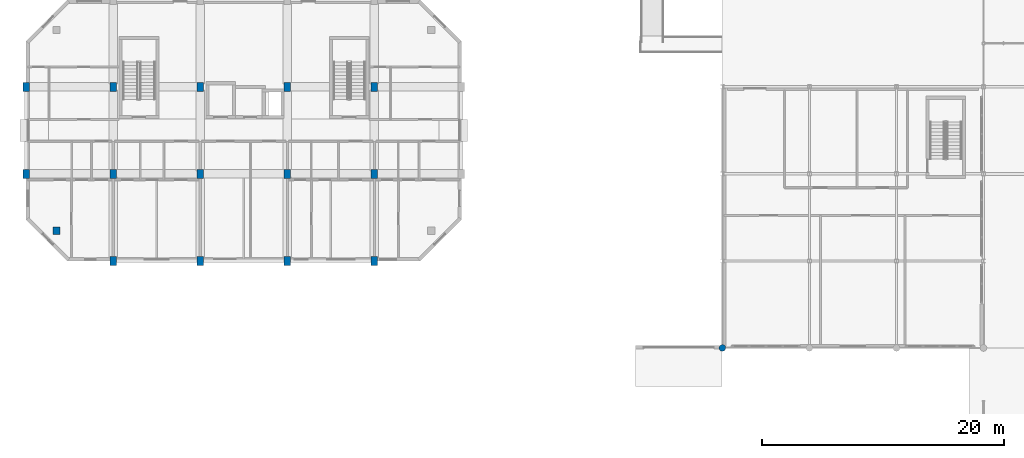
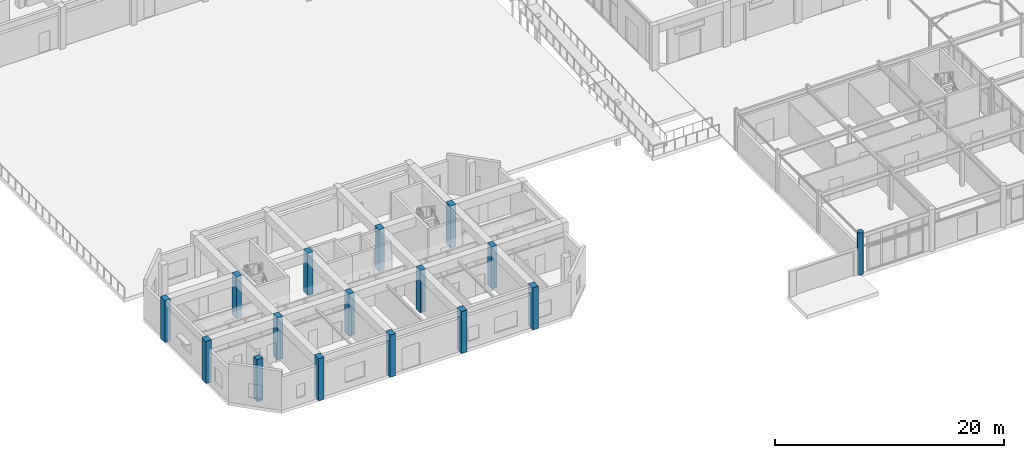
# One storey, part 1 of 85: 16 columns.
"""IFC4 building model written with IfcOpenShell, lengths in metres."""

import ifcopenshell
import ifcopenshell.guid

model = None  # the IFC model being written
_history = None  # IfcOwnerHistory: only IFC2X3 demands one
_inside = {}  # id of a spatial element -> (the spatial element, [elements in it])
_under = {}  # id of a project, library or spatial element -> (it, [spatial elements below it])
_declared = {}  # id of a project -> (the project, [libraries it declares])
_typed = {}  # id of a type object -> (the type object, [elements of that type])
_made_of = {}  # id of a material, layer set ... -> (it, [elements and type objects made of it])


def new_model(schema):
    """Start an empty IFC model of exactly this schema.

    Asked for "IFC4X3", IfcOpenShell would pick the latest addendum, in which some entities
    have other attributes; the version numbers below select the first issue.
    IFC2X3 requires an IfcOwnerHistory on every rooted entity: one is made here for all.
    """
    global model, _history
    if schema == "IFC4X3":
        model = ifcopenshell.file(schema_version=(4, 3, 0, 0))
    else:
        model = ifcopenshell.file(schema=schema)
    _inside.clear()
    _under.clear()
    _declared.clear()
    _typed.clear()
    _made_of.clear()
    _history = None
    if model.schema == "IFC2X3":
        org = make("IfcOrganization", Name="unknown")
        user = make(
            "IfcPersonAndOrganization",
            ThePerson=make("IfcPerson", FamilyName="unknown"),
            TheOrganization=org,
        )
        app = make(
            "IfcApplication",
            ApplicationDeveloper=org,
            Version="unknown",
            ApplicationFullName="unknown",
            ApplicationIdentifier="unknown",
        )
        _history = make(
            "IfcOwnerHistory",
            OwningUser=user,
            OwningApplication=app,
            ChangeAction="ADDED",
            CreationDate=0,
        )
    return model


def make(cls, **values):
    """One entity of the class cls with the attributes given. An attribute that is None is left unset."""
    return model.create_entity(
        cls, **{name: value for name, value in values.items() if value is not None}
    )


def rooted(cls, **values):
    """An entity with a GlobalId (a new one), such as an element, a storey or a relation."""
    return make(cls, GlobalId=ifcopenshell.guid.new(), OwnerHistory=_history, **values)


def si_unit(unit_type, name, prefix=None):
    """IfcSIUnit, for example si_unit("LENGTHUNIT", "METRE", prefix="MILLI")."""
    return make("IfcSIUnit", UnitType=unit_type, Prefix=prefix, Name=name)


def assignment(units):
    """IfcUnitAssignment: the units of a project."""
    return None if units is None else make("IfcUnitAssignment", Units=units)


def point(xyz):
    """IfcCartesianPoint."""
    return None if xyz is None else make("IfcCartesianPoint", Coordinates=xyz)


def direction(xyz):
    """IfcDirection."""
    return None if xyz is None else make("IfcDirection", DirectionRatios=xyz)


def frame(location, z_axis=None, x_axis=None):
    """IfcAxis2Placement3D, a coordinate frame: its origin and axes. An axis left out is left unset."""
    return make(
        "IfcAxis2Placement3D",
        Location=point(location),
        Axis=direction(z_axis),
        RefDirection=direction(x_axis),
    )


def frame_2d(location, x_axis=None):
    """IfcAxis2Placement2D, a coordinate frame in the plane: its origin and x axis."""
    return make(
        "IfcAxis2Placement2D", Location=point(location), RefDirection=direction(x_axis)
    )


def origin():
    """The frame at (0, 0, 0) with its axes left unset."""
    return frame((0.0, 0.0, 0.0))


def origin_2d():
    """The frame at (0, 0) in the plane with its x axis left unset."""
    return frame_2d((0.0, 0.0))


def place(relative_to, where):
    """IfcLocalPlacement: puts the frame where relative to a parent placement (None: the world)."""
    return make(
        "IfcLocalPlacement", PlacementRelTo=relative_to, RelativePlacement=where
    )


def context(
    kind, dimensions, precision=None, world=None, true_north=None, identifier=None
):
    """IfcGeometricRepresentationContext, for example the 3D "Model" context."""
    return make(
        "IfcGeometricRepresentationContext",
        ContextIdentifier=identifier,
        ContextType=kind,
        CoordinateSpaceDimension=dimensions,
        Precision=precision,
        WorldCoordinateSystem=world,
        TrueNorth=true_north,
    )


def subcontext(parent, identifier, kind, view, scale=None):
    """IfcGeometricRepresentationSubContext, for example "Body" below "Model"."""
    return make(
        "IfcGeometricRepresentationSubContext",
        ContextIdentifier=identifier,
        ContextType=kind,
        ParentContext=parent,
        TargetScale=scale,
        TargetView=view,
    )


def project(units=None, contexts=None):
    """IfcProject with its units and contexts."""
    return rooted(
        "IfcProject",
        Name="project",
        RepresentationContexts=contexts,
        UnitsInContext=assignment(units),
    )


def spatial(cls, under=None, at=None, **own):
    """A site, building, storey or space (cls), placed at a placement, below another one or the project."""
    s = rooted(cls, ObjectPlacement=at, **own)
    if under is not None:
        _under.setdefault(under.id(), (under, []))[1].append(s)
    return s


def profile(cls, at=None, kind="AREA", **sizes):
    """A parametric profile (cls). Its sizes go by their IFC names, for example OverallWidth=200.0."""
    return make(cls, ProfileType=kind, Position=at, **sizes)


def rectangle(**sizes):
    """IfcRectangleProfileDef."""
    return profile("IfcRectangleProfileDef", **sizes)


def circle(**sizes):
    """IfcCircleProfileDef."""
    return profile("IfcCircleProfileDef", **sizes)


def extrude(swept, where, along, depth):
    """IfcExtrudedAreaSolid: the profile swept, set in the frame where, extruded along a direction by depth."""
    return make(
        "IfcExtrudedAreaSolid",
        SweptArea=swept,
        Position=where,
        ExtrudedDirection=direction(along),
        Depth=depth,
    )


def shape(context_of_items, identifier, shape_type, items):
    """IfcShapeRepresentation: the items that make up one representation, for example the "Body"."""
    return make(
        "IfcShapeRepresentation",
        ContextOfItems=context_of_items,
        RepresentationIdentifier=identifier,
        RepresentationType=shape_type,
        Items=items,
    )


def material(Name=None, Category=None):
    """IfcMaterial."""
    return make("IfcMaterial", Name=Name, Category=Category)


def material_profile(
    of_material, cross_section, Name=None, Category=None, Priority=None
):
    """IfcMaterialProfile: a cross section and its material."""
    return make(
        "IfcMaterialProfile",
        Name=Name,
        Material=of_material,
        Profile=cross_section,
        Priority=Priority,
        Category=Category,
    )


def profile_set(profiles, Name=None, composite=None):
    """IfcMaterialProfileSet."""
    return make(
        "IfcMaterialProfileSet",
        Name=Name,
        MaterialProfiles=profiles,
        CompositeProfile=composite,
    )


def made_of(thing, what):
    """Note that an element or type object is made of a material, layer set ...; save() writes the relation."""
    if what is not None:
        _made_of.setdefault(what.id(), (what, []))[1].append(thing)
    return thing


def type_object(cls, material=None, **own):
    """A type object (cls), such as IfcWallType, which elements share."""
    return made_of(rooted(cls, **own), material)


def element(
    cls,
    number,
    at=None,
    inside=None,
    cuts=None,
    type_object=None,
    material=None,
    context=None,
    identifier="Body",
    shape_type=None,
    held_by="IfcProductDefinitionShape",
    body=None,
    shapes=None,
    **own,
):
    """One element of the class cls, such as IfcWall. Its Tag is "e" and its number.

    at: its placement. inside: the storey or other place that contains it. cuts: it is an
    opening in that element (IfcRelVoidsElement). A single representation is given by context,
    identifier, shape_type and body (its items); several are given by shapes. held_by: the class
    of the entity that holds the representations. save() writes the other relations.
    """
    e = rooted(cls, Tag="e%d" % number, ObjectPlacement=at, **own)
    if body is not None:
        shapes = [shape(context, identifier, shape_type, body)]
    if shapes is not None:
        e.Representation = make(held_by, Representations=shapes)
    if inside is not None:
        _inside.setdefault(inside.id(), (inside, []))[1].append(e)
    if cuts is not None:
        rooted(
            "IfcRelVoidsElement", RelatingBuildingElement=cuts, RelatedOpeningElement=e
        )
    if type_object is not None:
        _typed.setdefault(type_object.id(), (type_object, []))[1].append(e)
    return made_of(e, material)


def aggregate(whole, parts):
    """IfcRelAggregates: a whole, such as a stair, and the parts it consists of."""
    return rooted("IfcRelAggregates", RelatingObject=whole, RelatedObjects=parts)


def save(model, path):
    """Write the relations noted so far, then the file.

    IfcRelAggregates (storeys below a building ...), IfcRelContainedInSpatialStructure (elements
    in a storey), IfcRelDefinesByType, IfcRelAssociatesMaterial and IfcRelDeclares: one each for
    every whole, place, type object, material and project.
    """
    for whole, parts in _under.values():
        aggregate(whole, parts)
    for where, things in _inside.values():
        rooted(
            "IfcRelContainedInSpatialStructure",
            RelatedElements=things,
            RelatingStructure=where,
        )
    for kind, things in _typed.values():
        rooted("IfcRelDefinesByType", RelatedObjects=things, RelatingType=kind)
    for what, things in _made_of.values():
        rooted("IfcRelAssociatesMaterial", RelatedObjects=things, RelatingMaterial=what)
    for by, libraries in _declared.values():
        rooted("IfcRelDeclares", RelatingContext=by, RelatedDefinitions=libraries)
    model.write(path)


model = new_model("IFC4")

# Units and contexts
model_context = context("Model", 3, precision=1e-05, world=origin(), true_north=direction((0.0, 1.0)))
body_context = subcontext(model_context, "Body", "Model", "MODEL_VIEW")
ifc_project = project(units=[si_unit("LENGTHUNIT", "METRE"), si_unit("AREAUNIT", "SQUARE_METRE"), si_unit("VOLUMEUNIT", "CUBIC_METRE"), si_unit("PLANEANGLEUNIT", "RADIAN"), si_unit("MASSUNIT", "GRAM", prefix="KILO")], contexts=[model_context])

# Site, building, storey
site_placement = place(None, origin())
site = spatial("IfcSite", under=ifc_project, at=site_placement, CompositionType="ELEMENT")
building_placement = place(site_placement, origin())
building = spatial("IfcBuilding", under=site, at=building_placement, Name="Ochrevale Crest", CompositionType="ELEMENT")
storey_placement = place(building_placement, origin())
storey = spatial("IfcBuildingStorey", under=building, at=storey_placement, Name="L00", CompositionType="ELEMENT", Elevation=0.0)

# Columns
ifc_material = material(Name="Precast concrete C50/60", Category="concrete")
ifc_material_profile_1 = material_profile(ifc_material, rectangle(XDim=0.550048828125, YDim=0.75, at=origin_2d()), Name="RC 550x750")
ifc_profile_set_1 = profile_set([ifc_material_profile_1], Name="Precast concrete C50/60")
column_type_1 = type_object("IfcColumnType", Name="COL-RC550x750", PredefinedType="COLUMN", material=ifc_profile_set_1)
for number, where, z_axis, x_axis, name in (
    (1, (0.0, 21.60009765625, 0.0), (0.0, 0.0, 1.0), (1.0, 0.0, 0.0), "Block A L00 column (0.0,21.6)"),
    (2, (0.0, 28.800048828125, 0.0), (0.0, 0.0, 1.0), (1.0, 0.0, 0.0), "Block A L00 column (0.0,28.8)"),
    (3, (7.199951171875, 14.39990234375, 0.0), (0.0, 0.0, 1.0), (1.0, 0.0, 0.0), "Block A L00 column (7.2,14.4)"),
    (4, (7.199951171875, 21.60009765625, 0.0), (0.0, 0.0, 1.0), (1.0, 0.0, 0.0), "Block A L00 column (7.2,21.6)"),
    (5, (7.199951171875, 28.800048828125, 0.0), (0.0, 0.0, 1.0), (1.0, 0.0, 0.0), "Block A L00 column (7.2,28.8)"),
    (6, (14.39990234375, 14.39990234375, 0.0), (0.0, 0.0, 1.0), (1.0, 0.0, 0.0), "Block A L00 column (14.4,14.4)"),
    (7, (14.39990234375, 21.60009765625, 0.0), (0.0, 0.0, 1.0), (1.0, 0.0, 0.0), "Block A L00 column (14.4,21.6)"),
    (8, (14.39990234375, 28.800048828125, 0.0), (0.0, 0.0, 1.0), (1.0, 0.0, 0.0), "Block A L00 column (14.4,28.8)"),
    (9, (21.60009765625, 14.39990234375, 0.0), (0.0, 0.0, 1.0), (1.0, 0.0, 0.0), "Block A L00 column (21.6,14.4)"),
    (10, (21.60009765625, 21.60009765625, 0.0), (0.0, 0.0, 1.0), (1.0, 0.0, 0.0), "Block A L00 column (21.6,21.6)"),
    (11, (21.60009765625, 28.800048828125, 0.0), (0.0, 0.0, 1.0), (1.0, 0.0, 0.0), "Block A L00 column (21.6,28.8)"),
    (12, (28.800048828125, 14.39990234375, 0.0), (0.0, 0.0, 1.0), (1.0, 0.0, 0.0), "Block A L00 column (28.8,14.4)"),
    (13, (28.800048828125, 21.60009765625, 0.0), (0.0, 0.0, 1.0), (1.0, 0.0, 0.0), "Block A L00 column (28.8,21.6)"),
    (14, (28.800048828125, 28.800048828125, 0.0), (0.0, 0.0, 1.0), (1.0, 0.0, 0.0), "Block A L00 column (28.8,28.8)"),
):
    element("IfcColumn", number, at=place(storey_placement, frame(where, z_axis=z_axis, x_axis=x_axis)), inside=storey, type_object=column_type_1, Name=name, PredefinedType="COLUMN", context=body_context, shape_type="SweptSolid", body=[
        extrude(rectangle(XDim=0.550048828125, YDim=0.75, at=origin_2d()), origin(), (0.0, 0.0, 1.0), 4.5),
    ])
ifc_material_profile_2 = material_profile(ifc_material, rectangle(XDim=0.60009765625, YDim=0.60009765625, at=origin_2d()), Name="RC 600x600")
ifc_profile_set_2 = profile_set([ifc_material_profile_2], Name="Precast concrete C50/60")
column_type_2 = type_object("IfcColumnType", Name="COL-RC600x600", PredefinedType="COLUMN", material=ifc_profile_set_2)
column_1_placement = place(storey_placement, frame((2.5, 16.89990234375, 0.0), z_axis=(0.0, 0.0, 1.0), x_axis=(1.0, 0.0, 0.0)))
element("IfcColumn", 15, at=column_1_placement, inside=storey, type_object=column_type_2, Name="Block A L00 column (2.5,16.9)", PredefinedType="COLUMN", context=body_context, shape_type="SweptSolid", body=[
    extrude(rectangle(XDim=0.60009765625, YDim=0.60009765625, at=origin_2d()), origin(), (0.0, 0.0, 1.0), 4.5),
])
ifc_material_profile_3 = material_profile(ifc_material, circle(Radius=0.27490234375, at=origin_2d()), Name="RC D550")
ifc_profile_set_3 = profile_set([ifc_material_profile_3], Name="Precast concrete C50/60")
column_type_3 = type_object("IfcColumnType", Name="COL-RCD550", PredefinedType="COLUMN", material=ifc_profile_set_3)
column_2_placement = place(storey_placement, frame((57.60009765625, 7.199951171875, 0.0), z_axis=(0.0, 0.0, 1.0), x_axis=(1.0, 0.0, 0.0)))
element("IfcColumn", 16, at=column_2_placement, inside=storey, type_object=column_type_3, Name="Retail arcade L00 column (57.6,7.2)", PredefinedType="COLUMN", context=body_context, shape_type="SweptSolid", body=[
    extrude(circle(Radius=0.27490234375, at=origin_2d()), origin(), (0.0, 0.0, 1.0), 4.5),
])

save(model, "model.ifc")
